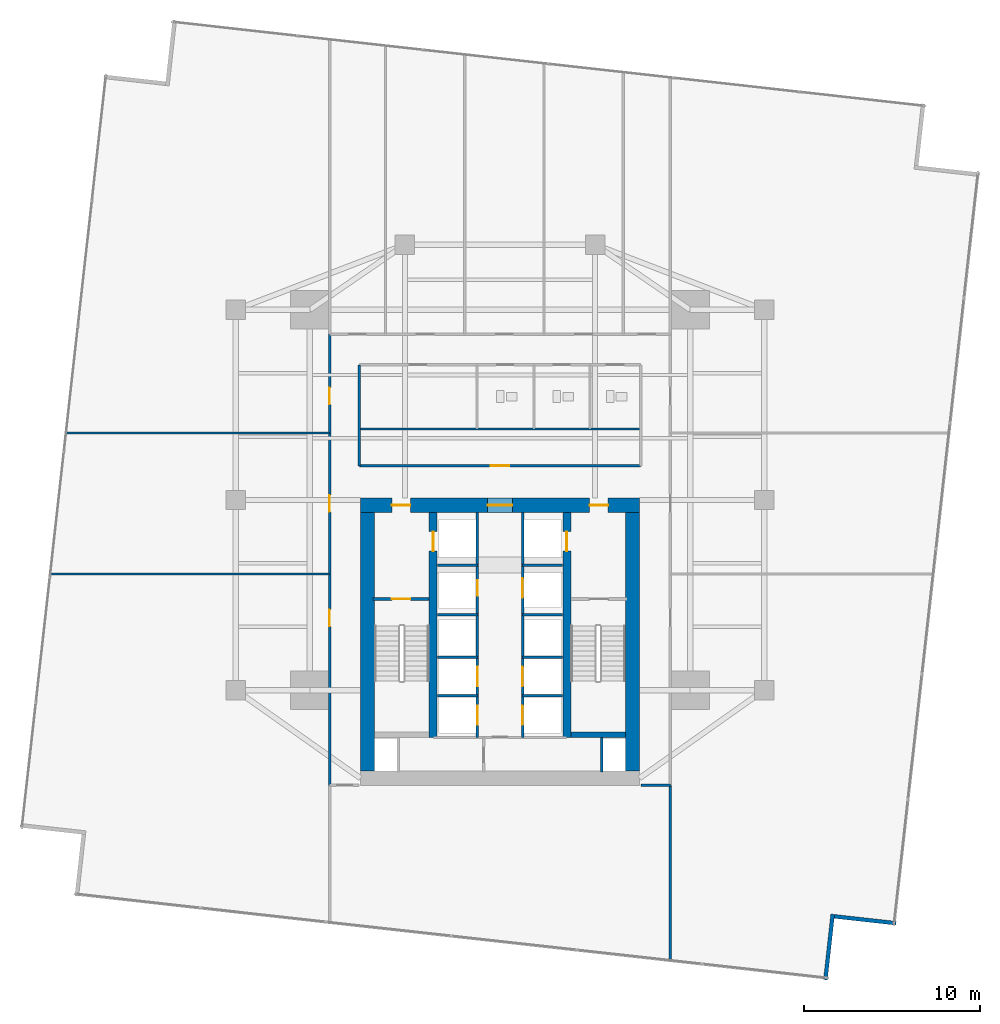
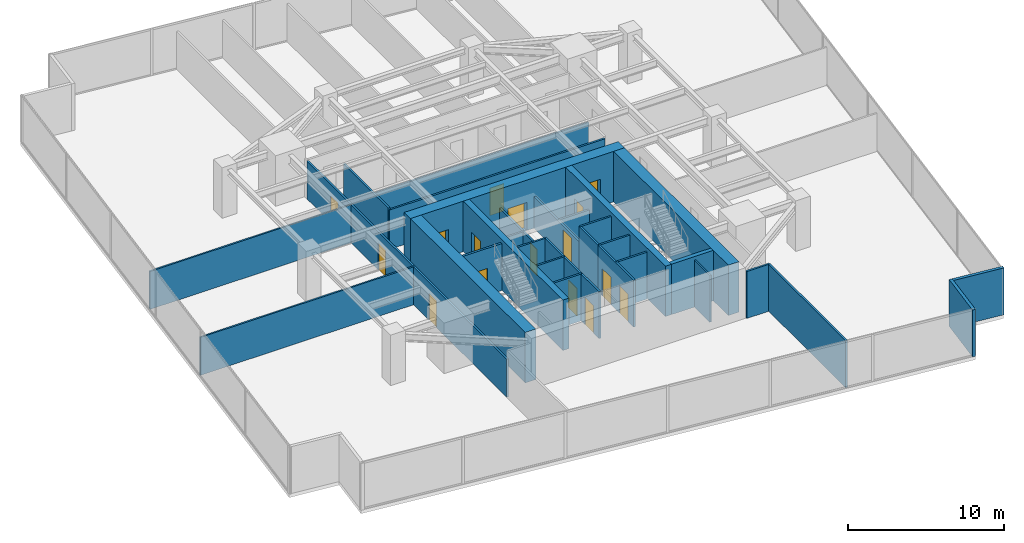
# One storey, part 25 of 28: 32 walls, 16 doors, 16 openings.
"""IFC4 building model written with IfcOpenShell, lengths in metres."""

from ifc_helpers import new_model, si_unit, direction, frame, frame_2d, origin, place, context, subcontext, project, spatial, rectangle, extrude, material, layer, layer_set, type_object, element, fill, save


model = new_model("IFC4")

# Units and contexts
model_context = context("Model", 3, precision=1e-05, world=origin(), true_north=direction((0.0, 1.0)))
body_context = subcontext(model_context, "Body", "Model", "MODEL_VIEW")
ifc_project = project(units=[si_unit("LENGTHUNIT", "METRE"), si_unit("AREAUNIT", "SQUARE_METRE"), si_unit("VOLUMEUNIT", "CUBIC_METRE"), si_unit("PLANEANGLEUNIT", "RADIAN"), si_unit("MASSUNIT", "GRAM", prefix="KILO")], contexts=[model_context])

# Site, building, storey
site_placement = place(None, origin())
site = spatial("IfcSite", under=ifc_project, at=site_placement, CompositionType="ELEMENT")
building_placement = place(site_placement, origin())
building = spatial("IfcBuilding", under=site, at=building_placement, Name="Krantzveldt Concourse Tower", CompositionType="ELEMENT")
storey_placement = place(building_placement, frame((0.0, 0.0, 64.5)))
storey = spatial("IfcBuildingStorey", under=building, at=storey_placement, Name="L15", CompositionType="ELEMENT", Elevation=64.5)

# Walls
ifc_material_1 = material(Name="Anodised aluminium 6063-T6", Category="aluminium")
ifc_layer_1 = layer(ifc_material_1, 0.219970703125, Name="Anodised aluminium 6063-T6", Category="aluminium")
ifc_layer_set_1 = layer_set([ifc_layer_1], Name="Anodised aluminium 6063-T6 (WL-EXT-NOTCH220)")
wall_type_1 = type_object("IfcWallType", Name="WL-EXT-NOTCH220", PredefinedType="ELEMENTEDWALL", material=ifc_layer_set_1)
wall_1_placement = place(storey_placement, frame((54.47900390625, -0.54541015625, 0.0), z_axis=(0.0, 0.0, 1.0), x_axis=(0.111082600583, 0.99381117716, 0.0)))
element("IfcWall", 1, at=wall_1_placement, inside=storey, type_object=wall_type_1, Name="EW-L15-NCH05", PredefinedType="ELEMENTEDWALL", context=body_context, shape_type="SweptSolid", body=[
    extrude(rectangle(XDim=3.7451171875, YDim=0.219970703125, at=frame_2d((1.87255859375, 0.0))), origin(), (0.0, 0.0, 1.0), 3.669921875),
])
wall_2_placement = place(storey_placement, frame((54.991943359375, 3.054931640625, 0.0), z_axis=(0.0, 0.0, 1.0), x_axis=(0.993817675948, -0.111024443135, 0.0)))
element("IfcWall", 2, at=wall_2_placement, inside=storey, type_object=wall_type_1, Name="EW-L15-NCH06", PredefinedType="ELEMENTEDWALL", context=body_context, shape_type="SweptSolid", body=[
    extrude(rectangle(XDim=3.52490234375, YDim=0.219970703125, at=frame_2d((1.762451171875, 0.0))), origin(), (0.0, 0.0, 1.0), 3.669921875),
])
ifc_material_2 = material(Name="Fire-rated gypsum plasterboard on steel stud", Category="steel")
ifc_layer_2 = layer(ifc_material_2, 0.1201171875, Name="Fire-rated gypsum plasterboard on steel stud", Category="steel")
ifc_layer_set_2 = layer_set([ifc_layer_2], Name="Fire-rated gypsum plasterboard on steel stud (WL-PART-120)")
wall_type_2 = type_object("IfcWallType", Name="WL-PART-120", PredefinedType="PARTITIONING", material=ifc_layer_set_2)
wall_3_placement = place(storey_placement, frame((28.02001953125, 30.739990234375, 0.0), z_axis=(0.0, 0.0, 1.0), x_axis=(1.0, 0.0, 0.0)))
element("IfcWall", 3, at=wall_3_placement, inside=storey, type_object=wall_type_2, Name="WP-L15-ISLM", PredefinedType="PARTITIONING", context=body_context, shape_type="SweptSolid", body=[
    extrude(rectangle(XDim=15.9599609375, YDim=0.1201171875, at=frame_2d((7.97998046875, 0.0))), origin(), (0.0, 0.0, 1.0), 3.080078125),
])
wall_4_placement = place(storey_placement, frame((10.4658203125, 22.5, 0.0), z_axis=(0.0, 0.0, 1.0), x_axis=(1.0, 0.0, 0.0)))
element("IfcWall", 4, at=wall_4_placement, inside=storey, type_object=wall_type_2, Name="WP-L15-WD1", PredefinedType="PARTITIONING", context=body_context, shape_type="SweptSolid", body=[
    extrude(rectangle(XDim=15.854248046875, YDim=0.1201171875, at=frame_2d((7.92724609375, 0.0))), origin(), (0.0, 0.0, 1.0), 2.969970703125),
])
wall_5_placement = place(storey_placement, frame((11.359619140625, 30.5, 0.0), z_axis=(0.0, 0.0, 1.0), x_axis=(1.0, 0.0, 0.0)))
element("IfcWall", 5, at=wall_5_placement, inside=storey, type_object=wall_type_2, Name="WP-L15-WD2", PredefinedType="PARTITIONING", context=body_context, shape_type="SweptSolid", body=[
    extrude(rectangle(XDim=14.96044921875, YDim=0.1201171875, at=frame_2d((7.480224609375, 0.0))), origin(), (0.0, 0.0, 1.0), 2.969970703125),
])

# Wall, opening, door
ifc_layer_3 = layer(ifc_material_2, 0.139892578125, Name="Fire-rated gypsum plasterboard on steel stud", Category="steel")
ifc_layer_set_3 = layer_set([ifc_layer_3], Name="Fire-rated gypsum plasterboard on steel stud (WL-PART-140)")
wall_type_3 = type_object("IfcWallType", Name="WL-PART-140", PredefinedType="PARTITIONING", material=ifc_layer_set_3)
wall_6_placement = place(storey_placement, frame((28.02001953125, 28.639892578125, 0.0), z_axis=(0.0, 0.0, 1.0), x_axis=(1.0, 0.0, 0.0)))
wall_6 = element("IfcWall", 6, at=wall_6_placement, inside=storey, type_object=wall_type_3, Name="WP-L15-ISLS", PredefinedType="PARTITIONING", context=body_context, shape_type="SweptSolid", body=[
    extrude(rectangle(XDim=15.9599609375, YDim=0.139892578125, at=frame_2d((7.97998046875, 0.0))), origin(), (0.0, 0.0, 1.0), 3.080078125),
])
opening_1_placement = place(wall_6_placement, frame((7.455078125, 0.0, 0.0)))
opening_1 = element("IfcOpeningElement", 7, at=opening_1_placement, cuts=wall_6, Name="Opening D-IN105", PredefinedType="OPENING", context=body_context, shape_type="SweptSolid", body=[
    extrude(rectangle(XDim=1.050048828125, YDim=2.14990234375, at=frame_2d((0.52490234375, 1.074951171875))), frame((0.0, 0.080078125, 0.0), z_axis=(0.0, -1.0, 0.0), x_axis=(1.0, 0.0, 0.0)), (0.0, 0.0, 1.0), 0.159912109375),
])
ifc_material_3 = material(Name="Hardwood timber", Category="wood")
door_type_1 = type_object("IfcDoorType", Name="DR-INT-1050", OperationType="SINGLE_SWING_LEFT", PredefinedType="DOOR", material=ifc_material_3)
door_1_placement = place(opening_1_placement, origin())
door_1 = element("IfcDoor", 8, at=door_1_placement, inside=storey, type_object=door_type_1, Name="DR-L15-MIDB", OperationType="SINGLE_SWING_LEFT", OverallHeight=2.14990234375, OverallWidth=1.050048828125, PredefinedType="DOOR", context=body_context, shape_type="SweptSolid", body=[
    extrude(rectangle(XDim=1.050048828125, YDim=2.14990234375, at=frame_2d((0.52490234375, 1.074951171875))), frame((0.0, 0.02490234375, 0.0), z_axis=(0.0, -1.0, 0.0), x_axis=(1.0, 0.0, 0.0)), (0.0, 0.0, 1.0), 0.050048828125),
])
fill(opening_1, door_1)

# Wall
wall_7_placement = place(storey_placement, frame((28.02001953125, 28.639892578125, 0.0), z_axis=(0.0, 0.0, 1.0), x_axis=(0.0, 1.0, 0.0)))
element("IfcWall", 9, at=wall_7_placement, inside=storey, type_object=wall_type_3, Name="WP-L15-ISLW", PredefinedType="PARTITIONING", context=body_context, shape_type="SweptSolid", body=[
    extrude(rectangle(XDim=5.739990234375, YDim=0.139892578125, at=frame_2d((2.8701171875, 0.0))), origin(), (0.0, 0.0, 1.0), 3.219970703125),
])

# Wall, openings, doors
wall_8_placement = place(storey_placement, frame((26.320068359375, 10.5, 0.0), z_axis=(0.0, 0.0, 1.0), x_axis=(0.0, 1.0, 0.0)))
wall_8 = element("IfcWall", 10, at=wall_8_placement, inside=storey, type_object=wall_type_3, Name="WP-L15-CWEST", PredefinedType="PARTITIONING", context=body_context, shape_type="SweptSolid", body=[
    extrude(rectangle(XDim=25.6201171875, YDim=0.139892578125, at=frame_2d((12.81005859375, 0.0))), origin(), (0.0, 0.0, 1.0), 2.969970703125),
])
opening_2_placement = place(wall_8_placement, frame((9.02490234375, 0.0, 0.0)))
opening_2 = element("IfcOpeningElement", 11, at=opening_2_placement, cuts=wall_8, Name="Opening D-IN095", PredefinedType="OPENING", context=body_context, shape_type="SweptSolid", body=[
    extrude(rectangle(XDim=0.949951171875, YDim=2.10009765625, at=frame_2d((0.47509765625, 1.050048828125))), frame((0.0, 0.080078125, 0.0), z_axis=(0.0, -1.0, 0.0), x_axis=(1.0, 0.0, 0.0)), (0.0, 0.0, 1.0), 0.159912109375),
])
opening_3_placement = place(wall_8_placement, frame((15.52490234375, 0.0, 0.0)))
opening_3 = element("IfcOpeningElement", 12, at=opening_3_placement, cuts=wall_8, Name="Opening D-IN095", PredefinedType="OPENING", context=body_context, shape_type="SweptSolid", body=[
    extrude(rectangle(XDim=0.949951171875, YDim=2.10009765625, at=frame_2d((0.47509765625, 1.050048828125))), frame((0.0, 0.080078125, 0.0), z_axis=(0.0, -1.0, 0.0), x_axis=(1.0, 0.0, 0.0)), (0.0, 0.0, 1.0), 0.159912109375),
])
opening_4_placement = place(wall_8_placement, frame((21.625, 0.0, 0.0)))
opening_4 = element("IfcOpeningElement", 13, at=opening_4_placement, cuts=wall_8, Name="Opening D-IN095", PredefinedType="OPENING", context=body_context, shape_type="SweptSolid", body=[
    extrude(rectangle(XDim=0.949951171875, YDim=2.10009765625, at=frame_2d((0.47509765625, 1.050048828125))), frame((0.0, 0.080078125, 0.0), z_axis=(0.0, -1.0, 0.0), x_axis=(1.0, 0.0, 0.0)), (0.0, 0.0, 1.0), 0.159912109375),
])
door_type_2 = type_object("IfcDoorType", Name="DR-INT-950", OperationType="SINGLE_SWING_LEFT", PredefinedType="DOOR", material=ifc_material_3)
door_2_placement = place(opening_2_placement, origin())
door_2 = element("IfcDoor", 14, at=door_2_placement, inside=storey, type_object=door_type_2, Name="DR-L15-WR1", OperationType="SINGLE_SWING_LEFT", OverallHeight=2.10009765625, OverallWidth=0.949951171875, PredefinedType="DOOR", context=body_context, shape_type="SweptSolid", body=[
    extrude(rectangle(XDim=0.949951171875, YDim=2.10009765625, at=frame_2d((0.47509765625, 1.050048828125))), frame((0.0, 0.02490234375, 0.0), z_axis=(0.0, -1.0, 0.0), x_axis=(1.0, 0.0, 0.0)), (0.0, 0.0, 1.0), 0.050048828125),
])
fill(opening_2, door_2)
door_3_placement = place(opening_3_placement, origin())
door_3 = element("IfcDoor", 15, at=door_3_placement, inside=storey, type_object=door_type_2, Name="DR-L15-WR2", OperationType="SINGLE_SWING_LEFT", OverallHeight=2.10009765625, OverallWidth=0.949951171875, PredefinedType="DOOR", context=body_context, shape_type="SweptSolid", body=[
    extrude(rectangle(XDim=0.949951171875, YDim=2.10009765625, at=frame_2d((0.47509765625, 1.050048828125))), frame((0.0, 0.02490234375, 0.0), z_axis=(0.0, -1.0, 0.0), x_axis=(1.0, 0.0, 0.0)), (0.0, 0.0, 1.0), 0.050048828125),
])
fill(opening_3, door_3)
door_4_placement = place(opening_4_placement, origin())
door_4 = element("IfcDoor", 16, at=door_4_placement, inside=storey, type_object=door_type_2, Name="DR-L15-WR3", OperationType="SINGLE_SWING_LEFT", OverallHeight=2.10009765625, OverallWidth=0.949951171875, PredefinedType="DOOR", context=body_context, shape_type="SweptSolid", body=[
    extrude(rectangle(XDim=0.949951171875, YDim=2.10009765625, at=frame_2d((0.47509765625, 1.050048828125))), frame((0.0, 0.02490234375, 0.0), z_axis=(0.0, -1.0, 0.0), x_axis=(1.0, 0.0, 0.0)), (0.0, 0.0, 1.0), 0.050048828125),
])
fill(opening_4, door_4)

# Walls
wall_9_placement = place(storey_placement, frame((44.0, 10.5, 0.0), z_axis=(0.0, 0.0, 1.0), x_axis=(1.0, 0.0, 0.0)))
element("IfcWall", 17, at=wall_9_placement, inside=storey, type_object=wall_type_3, Name="WP-L15-CEBOT", PredefinedType="PARTITIONING", context=body_context, shape_type="SweptSolid", body=[
    extrude(rectangle(XDim=1.679931640625, YDim=0.139892578125, at=frame_2d((0.83984375, 0.0))), origin(), (0.0, 0.0, 1.0), 3.669921875),
])
wall_10_placement = place(storey_placement, frame((45.679931640625, 0.553466796875, 0.0), z_axis=(0.0, 0.0, 1.0), x_axis=(0.0, 1.0, 0.0)))
element("IfcWall", 18, at=wall_10_placement, inside=storey, type_object=wall_type_3, Name="WP-L15-SER", PredefinedType="PARTITIONING", context=body_context, shape_type="SweptSolid", body=[
    extrude(rectangle(XDim=9.946533203125, YDim=0.139892578125, at=frame_2d((4.97314453125, 0.0))), origin(), (0.0, 0.0, 1.0), 3.669921875),
])

# Wall, opening, door
ifc_layer_4 = layer(ifc_material_2, 0.139892578125, Name="Fire-rated gypsum plasterboard on steel stud", Category="steel")
ifc_layer_set_4 = layer_set([ifc_layer_4], Name="Fire-rated gypsum plasterboard on steel stud (WL-PART-FR140)")
wall_type_4 = type_object("IfcWallType", Name="WL-PART-FR140", PredefinedType="PARTITIONING", material=ifc_layer_set_4)
wall_11_placement = place(storey_placement, frame((34.719970703125, 20.199951171875, 0.0), z_axis=(0.0, 0.0, 1.0), x_axis=(0.0, 1.0, 0.0)))
wall_11 = element("IfcWall", 19, at=wall_11_placement, inside=storey, type_object=wall_type_4, Name="WP-L15-SHNW", PredefinedType="PARTITIONING", context=body_context, shape_type="SweptSolid", body=[
    extrude(rectangle(XDim=5.780029296875, YDim=0.139892578125, at=frame_2d((2.89013671875, 0.0))), origin(), (0.0, 0.0, 1.0), 2.469970703125),
])
opening_5_placement = place(wall_11_placement, frame((1.050048828125, 0.0, 0.0)))
opening_5 = element("IfcOpeningElement", 20, at=opening_5_placement, cuts=wall_11, Name="Opening D-FD090", PredefinedType="OPENING", context=body_context, shape_type="SweptSolid", body=[
    extrude(rectangle(XDim=0.89990234375, YDim=2.10009765625, at=frame_2d((0.449951171875, 1.050048828125))), frame((0.0, 0.080078125, 0.0), z_axis=(0.0, -1.0, 0.0), x_axis=(1.0, 0.0, 0.0)), (0.0, 0.0, 1.0), 0.159912109375),
])
door_type_3 = type_object("IfcDoorType", Name="DR-FD60-900", OperationType="SINGLE_SWING_LEFT", PredefinedType="DOOR", material=ifc_material_3)
door_5_placement = place(opening_5_placement, origin())
door_5 = element("IfcDoor", 21, at=door_5_placement, inside=storey, type_object=door_type_3, Name="Electrical Riser Access Door L15", OperationType="SINGLE_SWING_LEFT", OverallHeight=2.10009765625, OverallWidth=0.89990234375, PredefinedType="DOOR", context=body_context, shape_type="SweptSolid", body=[
    extrude(rectangle(XDim=0.89990234375, YDim=2.10009765625, at=frame_2d((0.449951171875, 1.050048828125))), frame((0.0, 0.02490234375, 0.0), z_axis=(0.0, -1.0, 0.0), x_axis=(1.0, 0.0, 0.0)), (0.0, 0.0, 1.0), 0.050048828125),
])
fill(opening_5, door_5)

wall_12_placement = place(storey_placement, frame((37.280029296875, 20.199951171875, 0.0), z_axis=(0.0, 0.0, 1.0), x_axis=(0.0, 1.0, 0.0)))
wall_12 = element("IfcWall", 22, at=wall_12_placement, inside=storey, type_object=wall_type_4, Name="WP-L15-SHNE", PredefinedType="PARTITIONING", context=body_context, shape_type="SweptSolid", body=[
    extrude(rectangle(XDim=5.780029296875, YDim=0.139892578125, at=frame_2d((2.89013671875, 0.0))), origin(), (0.0, 0.0, 1.0), 2.469970703125),
])
opening_6_placement = place(wall_12_placement, frame((0.949951171875, 0.0, 0.0)))
opening_6 = element("IfcOpeningElement", 23, at=opening_6_placement, cuts=wall_12, Name="Opening LD", PredefinedType="OPENING", context=body_context, shape_type="SweptSolid", body=[
    extrude(rectangle(XDim=1.10009765625, YDim=2.14990234375, at=frame_2d((0.550048828125, 1.074951171875))), frame((0.0, 0.080078125, 0.0), z_axis=(0.0, -1.0, 0.0), x_axis=(1.0, 0.0, 0.0)), (0.0, 0.0, 1.0), 0.159912109375),
])
ifc_material_4 = material(Name="Stainless steel 316L", Category="steel")
door_type_4 = type_object("IfcDoorType", Name="DR-SLIDE-LD1100", OperationType="DOUBLE_DOOR_SLIDING", PredefinedType="DOOR", material=ifc_material_4)
door_6_placement = place(opening_6_placement, origin())
door_6 = element("IfcDoor", 24, at=door_6_placement, inside=storey, type_object=door_type_4, Name="LD-L15-GL1", OperationType="DOUBLE_DOOR_SLIDING", OverallHeight=2.14990234375, OverallWidth=1.10009765625, PredefinedType="DOOR", context=body_context, shape_type="SweptSolid", body=[
    extrude(rectangle(XDim=1.10009765625, YDim=2.14990234375, at=frame_2d((0.550048828125, 1.074951171875))), frame((0.0, 0.02490234375, 0.0), z_axis=(0.0, -1.0, 0.0), x_axis=(1.0, 0.0, 0.0)), (0.0, 0.0, 1.0), 0.050048828125),
])
fill(opening_6, door_6)

# Walls
for number, where, z_axis, x_axis, name in (
    (25, (32.449951171875, 23.0, 0.0), (0.0, 0.0, 1.0), (1.0, 0.0, 0.0), "WP-L15-RISH"),
    (26, (37.280029296875, 23.0, 0.0), (0.0, 0.0, 1.0), (1.0, 0.0, 0.0), "WP-L15-GLH"),
):
    element("IfcWall", number, at=place(storey_placement, frame(where, z_axis=z_axis, x_axis=x_axis)), inside=storey, type_object=wall_type_4, Name=name, PredefinedType="PARTITIONING", context=body_context, shape_type="SweptSolid", body=[
        extrude(rectangle(XDim=2.27001953125, YDim=0.139892578125, at=frame_2d((1.135009765625, 0.0))), origin(), (0.0, 0.0, 1.0), 2.469970703125),
    ])
for number, where, z_axis, x_axis, name in (
    (27, (34.719970703125, 17.780029296875, 0.0), (0.0, 0.0, 1.0), (0.0, 1.0, 0.0), "WP-L15-SHNW2"),
    (28, (37.280029296875, 17.780029296875, 0.0), (0.0, 0.0, 1.0), (0.0, 1.0, 0.0), "WP-L15-SHNE2"),
):
    element("IfcWall", number, at=place(storey_placement, frame(where, z_axis=z_axis, x_axis=x_axis)), inside=storey, type_object=wall_type_4, Name=name, PredefinedType="PARTITIONING", context=body_context, shape_type="SweptSolid", body=[
        extrude(rectangle(XDim=2.419921875, YDim=0.139892578125, at=frame_2d((1.2099609375, 0.0))), origin(), (0.0, 0.0, 1.0), 3.669921875),
    ])
for number, where, z_axis, x_axis, name in (
    (29, (32.449951171875, 17.780029296875, 0.0), (0.0, 0.0, 1.0), (1.0, 0.0, 0.0), "WP-L15-DIVW2"),
    (30, (32.449951171875, 20.179931640625, 0.0), (0.0, 0.0, 1.0), (1.0, 0.0, 0.0), "WP-L15-DIVW3"),
    (31, (37.280029296875, 17.780029296875, 0.0), (0.0, 0.0, 1.0), (1.0, 0.0, 0.0), "WP-L15-DIVE2"),
    (32, (37.280029296875, 20.179931640625, 0.0), (0.0, 0.0, 1.0), (1.0, 0.0, 0.0), "WP-L15-DIVE3"),
):
    element("IfcWall", number, at=place(storey_placement, frame(where, z_axis=z_axis, x_axis=x_axis)), inside=storey, type_object=wall_type_4, Name=name, PredefinedType="PARTITIONING", context=body_context, shape_type="SweptSolid", body=[
        extrude(rectangle(XDim=2.27001953125, YDim=0.139892578125, at=frame_2d((1.135009765625, 0.0))), origin(), (0.0, 0.0, 1.0), 3.669921875),
    ])

# Wall, openings, doors
wall_13_placement = place(storey_placement, frame((34.719970703125, 13.219970703125, 0.0), z_axis=(0.0, 0.0, 1.0), x_axis=(0.0, 1.0, 0.0)))
wall_13 = element("IfcWall", 33, at=wall_13_placement, inside=storey, type_object=wall_type_4, Name="WP-L15-SHSW", PredefinedType="PARTITIONING", context=body_context, shape_type="SweptSolid", body=[
    extrude(rectangle(XDim=4.56005859375, YDim=0.139892578125, at=frame_2d((2.280029296875, 0.0))), origin(), (0.0, 0.0, 1.0), 3.669921875),
])
opening_7_placement = place(wall_13_placement, frame((0.7099609375, 0.0, 0.0)))
opening_7 = element("IfcOpeningElement", 34, at=opening_7_placement, cuts=wall_13, Name="Opening LD", PredefinedType="OPENING", context=body_context, shape_type="SweptSolid", body=[
    extrude(rectangle(XDim=1.10009765625, YDim=2.14990234375, at=frame_2d((0.550048828125, 1.074951171875))), frame((0.0, 0.080078125, 0.0), z_axis=(0.0, -1.0, 0.0), x_axis=(1.0, 0.0, 0.0)), (0.0, 0.0, 1.0), 0.159912109375),
])
opening_8_placement = place(wall_13_placement, frame((2.909912109375, 0.0, 0.0)))
opening_8 = element("IfcOpeningElement", 35, at=opening_8_placement, cuts=wall_13, Name="Opening LD", PredefinedType="OPENING", context=body_context, shape_type="SweptSolid", body=[
    extrude(rectangle(XDim=1.10009765625, YDim=2.14990234375, at=frame_2d((0.550048828125, 1.074951171875))), frame((0.0, 0.080078125, 0.0), z_axis=(0.0, -1.0, 0.0), x_axis=(1.0, 0.0, 0.0)), (0.0, 0.0, 1.0), 0.159912109375),
])
door_7_placement = place(opening_7_placement, origin())
door_7 = element("IfcDoor", 36, at=door_7_placement, inside=storey, type_object=door_type_4, Name="LD-L15-PL1", OperationType="DOUBLE_DOOR_SLIDING", OverallHeight=2.14990234375, OverallWidth=1.10009765625, PredefinedType="DOOR", context=body_context, shape_type="SweptSolid", body=[
    extrude(rectangle(XDim=1.10009765625, YDim=2.14990234375, at=frame_2d((0.550048828125, 1.074951171875))), frame((0.0, 0.02490234375, 0.0), z_axis=(0.0, -1.0, 0.0), x_axis=(1.0, 0.0, 0.0)), (0.0, 0.0, 1.0), 0.050048828125),
])
fill(opening_7, door_7)
door_8_placement = place(opening_8_placement, origin())
door_8 = element("IfcDoor", 37, at=door_8_placement, inside=storey, type_object=door_type_4, Name="LD-L15-PL2", OperationType="DOUBLE_DOOR_SLIDING", OverallHeight=2.14990234375, OverallWidth=1.10009765625, PredefinedType="DOOR", context=body_context, shape_type="SweptSolid", body=[
    extrude(rectangle(XDim=1.10009765625, YDim=2.14990234375, at=frame_2d((0.550048828125, 1.074951171875))), frame((0.0, 0.02490234375, 0.0), z_axis=(0.0, -1.0, 0.0), x_axis=(1.0, 0.0, 0.0)), (0.0, 0.0, 1.0), 0.050048828125),
])
fill(opening_8, door_8)

# Wall
wall_14_placement = place(storey_placement, frame((32.449951171875, 15.580078125, 0.0), z_axis=(0.0, 0.0, 1.0), x_axis=(1.0, 0.0, 0.0)))
element("IfcWall", 38, at=wall_14_placement, inside=storey, type_object=wall_type_4, Name="WP-L15-DIVW1", PredefinedType="PARTITIONING", context=body_context, shape_type="SweptSolid", body=[
    extrude(rectangle(XDim=2.27001953125, YDim=0.139892578125, at=frame_2d((1.135009765625, 0.0))), origin(), (0.0, 0.0, 1.0), 3.669921875),
])

# Wall, openings, doors
wall_15_placement = place(storey_placement, frame((37.280029296875, 13.219970703125, 0.0), z_axis=(0.0, 0.0, 1.0), x_axis=(0.0, 1.0, 0.0)))
wall_15 = element("IfcWall", 39, at=wall_15_placement, inside=storey, type_object=wall_type_4, Name="WP-L15-SHSE", PredefinedType="PARTITIONING", context=body_context, shape_type="SweptSolid", body=[
    extrude(rectangle(XDim=4.56005859375, YDim=0.139892578125, at=frame_2d((2.280029296875, 0.0))), origin(), (0.0, 0.0, 1.0), 3.669921875),
])
opening_9_placement = place(wall_15_placement, frame((0.7099609375, 0.0, 0.0)))
opening_9 = element("IfcOpeningElement", 40, at=opening_9_placement, cuts=wall_15, Name="Opening LD", PredefinedType="OPENING", context=body_context, shape_type="SweptSolid", body=[
    extrude(rectangle(XDim=1.10009765625, YDim=2.14990234375, at=frame_2d((0.550048828125, 1.074951171875))), frame((0.0, 0.080078125, 0.0), z_axis=(0.0, -1.0, 0.0), x_axis=(1.0, 0.0, 0.0)), (0.0, 0.0, 1.0), 0.159912109375),
])
opening_10_placement = place(wall_15_placement, frame((2.909912109375, 0.0, 0.0)))
opening_10 = element("IfcOpeningElement", 41, at=opening_10_placement, cuts=wall_15, Name="Opening LD", PredefinedType="OPENING", context=body_context, shape_type="SweptSolid", body=[
    extrude(rectangle(XDim=1.10009765625, YDim=2.14990234375, at=frame_2d((0.550048828125, 1.074951171875))), frame((0.0, 0.080078125, 0.0), z_axis=(0.0, -1.0, 0.0), x_axis=(1.0, 0.0, 0.0)), (0.0, 0.0, 1.0), 0.159912109375),
])
door_9_placement = place(opening_9_placement, origin())
door_9 = element("IfcDoor", 42, at=door_9_placement, inside=storey, type_object=door_type_4, Name="LD-L15-PM1", OperationType="DOUBLE_DOOR_SLIDING", OverallHeight=2.14990234375, OverallWidth=1.10009765625, PredefinedType="DOOR", context=body_context, shape_type="SweptSolid", body=[
    extrude(rectangle(XDim=1.10009765625, YDim=2.14990234375, at=frame_2d((0.550048828125, 1.074951171875))), frame((0.0, 0.02490234375, 0.0), z_axis=(0.0, -1.0, 0.0), x_axis=(1.0, 0.0, 0.0)), (0.0, 0.0, 1.0), 0.050048828125),
])
fill(opening_9, door_9)
door_10_placement = place(opening_10_placement, origin())
door_10 = element("IfcDoor", 43, at=door_10_placement, inside=storey, type_object=door_type_4, Name="LD-L15-PM2", OperationType="DOUBLE_DOOR_SLIDING", OverallHeight=2.14990234375, OverallWidth=1.10009765625, PredefinedType="DOOR", context=body_context, shape_type="SweptSolid", body=[
    extrude(rectangle(XDim=1.10009765625, YDim=2.14990234375, at=frame_2d((0.550048828125, 1.074951171875))), frame((0.0, 0.02490234375, 0.0), z_axis=(0.0, -1.0, 0.0), x_axis=(1.0, 0.0, 0.0)), (0.0, 0.0, 1.0), 0.050048828125),
])
fill(opening_10, door_10)

# Walls
wall_16_placement = place(storey_placement, frame((37.280029296875, 15.580078125, 0.0), z_axis=(0.0, 0.0, 1.0), x_axis=(1.0, 0.0, 0.0)))
element("IfcWall", 44, at=wall_16_placement, inside=storey, type_object=wall_type_4, Name="WP-L15-DIVE1", PredefinedType="PARTITIONING", context=body_context, shape_type="SweptSolid", body=[
    extrude(rectangle(XDim=2.27001953125, YDim=0.139892578125, at=frame_2d((1.135009765625, 0.0))), origin(), (0.0, 0.0, 1.0), 3.669921875),
])
wall_17_placement = place(storey_placement, frame((41.780029296875, 11.25, 0.0), z_axis=(0.0, 0.0, 1.0), x_axis=(0.0, 1.0, 0.0)))
element("IfcWall", 45, at=wall_17_placement, inside=storey, type_object=wall_type_4, Name="WP-L15-RSE", PredefinedType="PARTITIONING", context=body_context, shape_type="SweptSolid", body=[
    extrude(rectangle(XDim=1.969970703125, YDim=0.1201171875, at=frame_2d((0.98486328125, 0.0))), origin(), (0.0, 0.0, 1.0), 3.669921875),
])

# Wall, opening, door
ifc_layer_5 = layer(ifc_material_2, 0.159912109375, Name="Fire-rated gypsum plasterboard on steel stud", Category="steel")
ifc_layer_set_5 = layer_set([ifc_layer_5], Name="Fire-rated gypsum plasterboard on steel stud (WL-PART-FR160)")
wall_type_5 = type_object("IfcWallType", Name="WL-PART-FR160", PredefinedType="PARTITIONING", material=ifc_layer_set_5)
wall_18_placement = place(storey_placement, frame((28.800048828125, 21.080078125, 0.0), z_axis=(0.0, 0.0, 1.0), x_axis=(1.0, 0.0, 0.0)))
wall_18 = element("IfcWall", 46, at=wall_18_placement, inside=storey, type_object=wall_type_5, Name="WP-L15-ST1", PredefinedType="PARTITIONING", context=body_context, shape_type="SweptSolid", body=[
    extrude(rectangle(XDim=3.159912109375, YDim=0.159912109375, at=frame_2d((1.580078125, 0.0))), origin(), (0.0, 0.0, 1.0), 3.669921875),
])
opening_11_placement = place(wall_18_placement, frame((1.054931640625, 0.0, 0.0)))
opening_11 = element("IfcOpeningElement", 47, at=opening_11_placement, cuts=wall_18, Name="Opening D-FD105", PredefinedType="OPENING", context=body_context, shape_type="SweptSolid", body=[
    extrude(rectangle(XDim=1.050048828125, YDim=2.10009765625, at=frame_2d((0.52490234375, 1.050048828125))), frame((0.0, 0.08984375, 0.0), z_axis=(0.0, -1.0, 0.0), x_axis=(1.0, 0.0, 0.0)), (0.0, 0.0, 1.0), 0.179931640625),
])
ifc_material_5 = material(Name="Galvanised steel", Category="steel")
door_type_5 = type_object("IfcDoorType", Name="DR-FD120-1050", OperationType="SINGLE_SWING_LEFT", PredefinedType="DOOR", material=ifc_material_5)
door_11_placement = place(opening_11_placement, origin())
door_11 = element("IfcDoor", 48, at=door_11_placement, inside=storey, type_object=door_type_5, Name="DR-L15-ST1", OperationType="SINGLE_SWING_RIGHT", OverallHeight=2.10009765625, OverallWidth=1.050048828125, PredefinedType="DOOR", context=body_context, shape_type="SweptSolid", body=[
    extrude(rectangle(XDim=1.050048828125, YDim=2.10009765625, at=frame_2d((0.52490234375, 1.050048828125))), frame((0.0, 0.02490234375, 0.0), z_axis=(0.0, -1.0, 0.0), x_axis=(1.0, 0.0, 0.0)), (0.0, 0.0, 1.0), 0.050048828125),
])
fill(opening_11, door_11)

# Wall
ifc_material_6 = material(Name="Concrete C50/60", Category="concrete")
ifc_layer_6 = layer(ifc_material_6, 0.300048828125, Name="Concrete C50/60", Category="concrete")
ifc_layer_set_6 = layer_set([ifc_layer_6], Name="Concrete C50/60 (WL-SHEAR-300)")
wall_type_6 = type_object("IfcWallType", Name="WL-SHEAR-300", PredefinedType="SHEAR", material=ifc_layer_set_6)
wall_19_placement = place(storey_placement, frame((40.02001953125, 13.3701171875, 0.0), z_axis=(0.0, 0.0, 1.0), x_axis=(1.0, 0.0, 0.0)))
element("IfcWall", 49, at=wall_19_placement, inside=storey, type_object=wall_type_6, Name="CW-L15-ST2S", PredefinedType="SHEAR", context=body_context, shape_type="SweptSolid", body=[
    extrude(rectangle(XDim=3.10009765625, YDim=0.300048828125, at=frame_2d((1.550048828125, 0.0))), origin(), (0.0, 0.0, 1.0), 3.949951171875),
])

# Wall, opening, door
ifc_layer_7 = layer(ifc_material_6, 0.449951171875, Name="Concrete C50/60", Category="concrete")
ifc_layer_set_7 = layer_set([ifc_layer_7], Name="Concrete C50/60 (WL-SHEAR-450)")
wall_type_7 = type_object("IfcWallType", Name="WL-SHEAR-450", PredefinedType="SHEAR", material=ifc_layer_set_7)
wall_20_placement = place(storey_placement, frame((32.205078125, 13.219970703125, 0.0), z_axis=(0.0, 0.0, 1.0), x_axis=(0.0, 1.0, 0.0)))
wall_20 = element("IfcWall", 50, at=wall_20_placement, inside=storey, type_object=wall_type_7, Name="CW-L15-IW", PredefinedType="SHEAR", context=body_context, shape_type="SweptSolid", body=[
    extrude(rectangle(XDim=12.780029296875, YDim=0.449951171875, at=frame_2d((6.39013671875, 0.0))), origin(), (0.0, 0.0, 1.0), 3.949951171875),
])
opening_12_placement = place(wall_20_placement, frame((10.580078125, 0.0, 0.0)))
opening_12 = element("IfcOpeningElement", 51, at=opening_12_placement, cuts=wall_20, Name="Opening LD", PredefinedType="OPENING", context=body_context, shape_type="SweptSolid", body=[
    extrude(rectangle(XDim=1.10009765625, YDim=2.14990234375, at=frame_2d((0.550048828125, 1.074951171875))), frame((0.0, 0.23486328125, 0.0), z_axis=(0.0, -1.0, 0.0), x_axis=(1.0, 0.0, 0.0)), (0.0, 0.0, 1.0), 0.469970703125),
])
door_12_placement = place(opening_12_placement, origin())
door_12 = element("IfcDoor", 52, at=door_12_placement, inside=storey, type_object=door_type_4, Name="LD-L15-FL1", OperationType="DOUBLE_DOOR_SLIDING", OverallHeight=2.14990234375, OverallWidth=1.10009765625, PredefinedType="DOOR", context=body_context, shape_type="SweptSolid", body=[
    extrude(rectangle(XDim=1.10009765625, YDim=2.14990234375, at=frame_2d((0.550048828125, 1.074951171875))), frame((0.0, 0.02490234375, 0.0), z_axis=(0.0, -1.0, 0.0), x_axis=(1.0, 0.0, 0.0)), (0.0, 0.0, 1.0), 0.050048828125),
])
fill(opening_12, door_12)

wall_21_placement = place(storey_placement, frame((39.794921875, 13.219970703125, 0.0), z_axis=(0.0, 0.0, 1.0), x_axis=(0.0, 1.0, 0.0)))
wall_21 = element("IfcWall", 53, at=wall_21_placement, inside=storey, type_object=wall_type_7, Name="CW-L15-IE", PredefinedType="SHEAR", context=body_context, shape_type="SweptSolid", body=[
    extrude(rectangle(XDim=12.780029296875, YDim=0.449951171875, at=frame_2d((6.39013671875, 0.0))), origin(), (0.0, 0.0, 1.0), 3.949951171875),
])
opening_13_placement = place(wall_21_placement, frame((10.580078125, 0.0, 0.0)))
opening_13 = element("IfcOpeningElement", 54, at=opening_13_placement, cuts=wall_21, Name="Opening LD", PredefinedType="OPENING", context=body_context, shape_type="SweptSolid", body=[
    extrude(rectangle(XDim=1.10009765625, YDim=2.14990234375, at=frame_2d((0.550048828125, 1.074951171875))), frame((0.0, 0.23486328125, 0.0), z_axis=(0.0, -1.0, 0.0), x_axis=(1.0, 0.0, 0.0)), (0.0, 0.0, 1.0), 0.469970703125),
])
door_13_placement = place(opening_13_placement, origin())
door_13 = element("IfcDoor", 55, at=door_13_placement, inside=storey, type_object=door_type_4, Name="LD-L15-FL2", OperationType="DOUBLE_DOOR_SLIDING", OverallHeight=2.14990234375, OverallWidth=1.10009765625, PredefinedType="DOOR", context=body_context, shape_type="SweptSolid", body=[
    extrude(rectangle(XDim=1.10009765625, YDim=2.14990234375, at=frame_2d((0.550048828125, 1.074951171875))), frame((0.0, 0.02490234375, 0.0), z_axis=(0.0, -1.0, 0.0), x_axis=(1.0, 0.0, 0.0)), (0.0, 0.0, 1.0), 0.050048828125),
])
fill(opening_13, door_13)

# Wall, openings, doors
ifc_material_7 = material(Name="Concrete C60/75", Category="concrete")
ifc_layer_8 = layer(ifc_material_7, 0.800048828125, Name="Concrete C60/75", Category="concrete")
ifc_layer_set_8 = layer_set([ifc_layer_8], Name="Concrete C60/75 (WL-SHEAR-800)")
wall_type_8 = type_object("IfcWallType", Name="WL-SHEAR-800", PredefinedType="SHEAR", material=ifc_layer_set_8)
wall_22_placement = place(storey_placement, frame((28.080078125, 26.39990234375, 0.0), z_axis=(0.0, 0.0, 1.0), x_axis=(1.0, 0.0, 0.0)))
wall_22 = element("IfcWall", 56, at=wall_22_placement, inside=storey, type_object=wall_type_8, Name="CW-L15-N", PredefinedType="SHEAR", context=body_context, shape_type="SweptSolid", body=[
    extrude(rectangle(XDim=15.83984375, YDim=0.800048828125, at=frame_2d((7.919921875, 0.0))), origin(), (0.0, 0.0, 1.0), 3.949951171875),
])
opening_14_placement = place(wall_22_placement, frame((7.219970703125, 0.0, 0.0)))
opening_14 = element("IfcOpeningElement", 57, at=opening_14_placement, cuts=wall_22, Name="Opening D-DB140", PredefinedType="OPENING", context=body_context, shape_type="SweptSolid", body=[
    extrude(rectangle(XDim=1.39990234375, YDim=2.199951171875, at=frame_2d((0.699951171875, 1.10009765625))), frame((0.0, 0.41015625, 0.0), z_axis=(0.0, -1.0, 0.0), x_axis=(1.0, 0.0, 0.0)), (0.0, 0.0, 1.0), 0.820068359375),
])
opening_15_placement = place(wall_22_placement, frame((1.77490234375, 0.0, 0.0)))
opening_15 = element("IfcOpeningElement", 58, at=opening_15_placement, cuts=wall_22, Name="Opening D-FD105", PredefinedType="OPENING", context=body_context, shape_type="SweptSolid", body=[
    extrude(rectangle(XDim=1.050048828125, YDim=2.10009765625, at=frame_2d((0.52490234375, 1.050048828125))), frame((0.0, 0.41015625, 0.0), z_axis=(0.0, -1.0, 0.0), x_axis=(1.0, 0.0, 0.0)), (0.0, 0.0, 1.0), 0.820068359375),
])
opening_16_placement = place(wall_22_placement, frame((13.014892578125, 0.0, 0.0)))
opening_16 = element("IfcOpeningElement", 59, at=opening_16_placement, cuts=wall_22, Name="Opening D-FD105", PredefinedType="OPENING", context=body_context, shape_type="SweptSolid", body=[
    extrude(rectangle(XDim=1.050048828125, YDim=2.10009765625, at=frame_2d((0.52490234375, 1.050048828125))), frame((0.0, 0.41015625, 0.0), z_axis=(0.0, -1.0, 0.0), x_axis=(1.0, 0.0, 0.0)), (0.0, 0.0, 1.0), 0.820068359375),
])
door_type_6 = type_object("IfcDoorType", Name="DR-DBL-1400", OperationType="DOUBLE_DOOR_SINGLE_SWING", PredefinedType="DOOR", material=ifc_material_1)
door_14_placement = place(opening_14_placement, origin())
door_14 = element("IfcDoor", 60, at=door_14_placement, inside=storey, type_object=door_type_6, Name="DR-L15-LLB", OperationType="DOUBLE_DOOR_SINGLE_SWING", OverallHeight=2.199951171875, OverallWidth=1.39990234375, PredefinedType="DOOR", context=body_context, shape_type="SweptSolid", body=[
    extrude(rectangle(XDim=1.39990234375, YDim=2.199951171875, at=frame_2d((0.699951171875, 1.10009765625))), frame((0.0, 0.02490234375, 0.0), z_axis=(0.0, -1.0, 0.0), x_axis=(1.0, 0.0, 0.0)), (0.0, 0.0, 1.0), 0.050048828125),
])
fill(opening_14, door_14)
door_15_placement = place(opening_15_placement, origin())
door_15 = element("IfcDoor", 61, at=door_15_placement, inside=storey, type_object=door_type_5, Name="DR-L15-FFL1", OperationType="SINGLE_SWING_LEFT", OverallHeight=2.10009765625, OverallWidth=1.050048828125, PredefinedType="DOOR", context=body_context, shape_type="SweptSolid", body=[
    extrude(rectangle(XDim=1.050048828125, YDim=2.10009765625, at=frame_2d((0.52490234375, 1.050048828125))), frame((0.0, 0.02490234375, 0.0), z_axis=(0.0, -1.0, 0.0), x_axis=(1.0, 0.0, 0.0)), (0.0, 0.0, 1.0), 0.050048828125),
])
fill(opening_15, door_15)
door_16_placement = place(opening_16_placement, origin())
door_16 = element("IfcDoor", 62, at=door_16_placement, inside=storey, type_object=door_type_5, Name="DR-L15-FFL2", OperationType="SINGLE_SWING_RIGHT", OverallHeight=2.10009765625, OverallWidth=1.050048828125, PredefinedType="DOOR", context=body_context, shape_type="SweptSolid", body=[
    extrude(rectangle(XDim=1.050048828125, YDim=2.10009765625, at=frame_2d((0.52490234375, 1.050048828125))), frame((0.0, 0.02490234375, 0.0), z_axis=(0.0, -1.0, 0.0), x_axis=(1.0, 0.0, 0.0)), (0.0, 0.0, 1.0), 0.050048828125),
])
fill(opening_16, door_16)

# Walls
for number, where, z_axis, x_axis, name in (
    (63, (28.47998046875, 11.300048828125, 0.0), (0.0, 0.0, 1.0), (0.0, 1.0, 0.0), "CW-L15-W"),
    (64, (43.52001953125, 11.300048828125, 0.0), (0.0, 0.0, 1.0), (0.0, 1.0, 0.0), "CW-L15-E"),
):
    element("IfcWall", number, at=place(storey_placement, frame(where, z_axis=z_axis, x_axis=x_axis)), inside=storey, type_object=wall_type_8, Name=name, PredefinedType="SHEAR", context=body_context, shape_type="SweptSolid", body=[
        extrude(rectangle(XDim=14.699951171875, YDim=0.800048828125, at=frame_2d((7.35009765625, 0.0))), origin(), (0.0, 0.0, 1.0), 3.949951171875),
    ])

save(model, "model.ifc")
